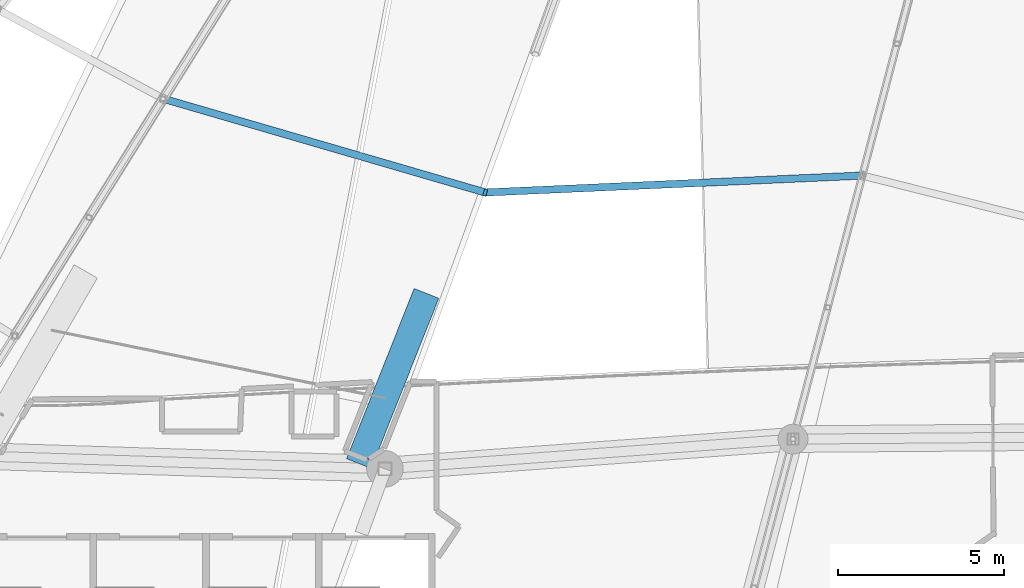
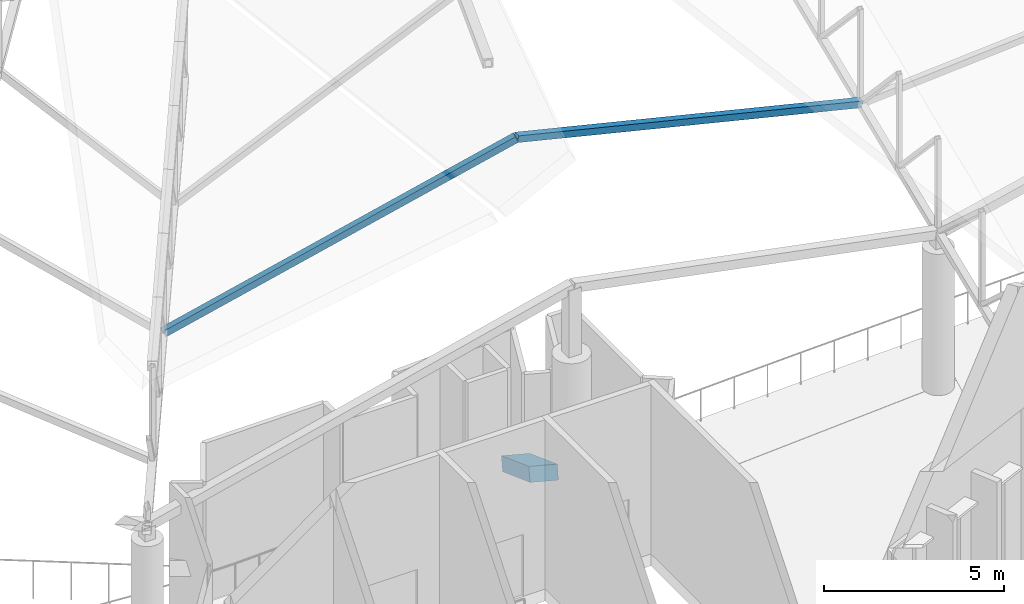
# One storey, part 29 of 344: 2 members, 1 beam.
"""IFC4 building model written with IfcOpenShell, lengths in metres."""

from ifc_helpers import new_model, si_unit, direction, frame, origin, origin_2d, place, context, subcontext, project, spatial, rectangle, hollow_rectangle, extrude, material, material_profile, profile_set, type_object, element, save


model = new_model("IFC4")

# Units and contexts
model_context = context("Model", 3, precision=1e-05, world=origin(), true_north=direction((0.0, 1.0)))
body_context = subcontext(model_context, "Body", "Model", "MODEL_VIEW")
ifc_project = project(units=[si_unit("LENGTHUNIT", "METRE"), si_unit("AREAUNIT", "SQUARE_METRE"), si_unit("VOLUMEUNIT", "CUBIC_METRE"), si_unit("PLANEANGLEUNIT", "RADIAN"), si_unit("MASSUNIT", "GRAM", prefix="KILO")], contexts=[model_context])

# Site, building, storey
site_placement = place(None, origin())
site = spatial("IfcSite", under=ifc_project, at=site_placement, CompositionType="ELEMENT")
building_placement = place(site_placement, origin())
building = spatial("IfcBuilding", under=site, at=building_placement, Name="Meseta Stadium", CompositionType="ELEMENT")
storey_placement = place(building_placement, frame((0.0, 0.0, 24.0)))
storey = spatial("IfcBuildingStorey", under=building, at=storey_placement, Name="L04", CompositionType="ELEMENT", Elevation=24.0)

# Beam
ifc_material_1 = material(Name="Concrete C40/50", Category="concrete")
ifc_material_profile_1 = material_profile(ifc_material_1, rectangle(XDim=0.800048828125, YDim=0.449951171875, at=origin_2d()), Name="RC 800x450")
ifc_profile_set_1 = profile_set([ifc_material_profile_1], Name="Concrete C40/50")
beam_type = type_object("IfcBeamType", Name="RC raker upper rear 800x450", PredefinedType="USERDEFINED", material=ifc_profile_set_1)
beam_placement = place(storey_placement, frame((-31.73681640625, -85.376708984375, -1.297607421875), z_axis=(-0.312988278729, -0.788750872969, 0.529065589288), x_axis=(0.929493983417, -0.368837274136, 0.0)))
element("IfcBeam", 1, at=beam_placement, inside=storey, type_object=beam_type, Name="Raker upper rear frame 44 upper tier", ObjectType="RAKER", PredefinedType="USERDEFINED", context=body_context, shape_type="SweptSolid", body=[
    extrude(rectangle(XDim=0.800048828125, YDim=0.449951171875, at=origin_2d()), origin(), (0.0, 0.0, 1.0), 6.219970703125),
])

# Members
ifc_material_2 = material(Name="Steel S355", Category="steel")
ifc_material_profile_2 = material_profile(ifc_material_2, hollow_rectangle(XDim=0.219970703125, YDim=0.219970703125, WallThickness=0.008056640625, at=origin_2d()), Name="SHS 220x220x8")
ifc_profile_set_2 = profile_set([ifc_material_profile_2], Name="Steel S355")
member_type = type_object("IfcMemberType", Name="SHS 220x220x8 strut", PredefinedType="STRUT", material=ifc_profile_set_2)
member_1_placement = place(storey_placement, frame((-39.62548828125, -79.40087890625, 2.261962890625), z_axis=(0.862705457789, -0.25121632144, 0.43889594774), x_axis=(0.279583446732, 0.960121396654, 0.0)))
element("IfcMember", 2, at=member_1_placement, inside=storey, type_object=member_type, Name="ROOF TRUSS STRUT RT-43/44", PredefinedType="STRUT", context=body_context, shape_type="SweptSolid", body=[
    extrude(hollow_rectangle(XDim=0.219970703125, YDim=0.219970703125, WallThickness=0.008056640625, at=origin_2d()), origin(), (0.0, 0.0, 1.0), 11.2470703125),
])
member_2_placement = place(storey_placement, frame((-29.922607421875, -82.226318359375, 7.1982421875), z_axis=(0.963864744734, 0.043253660878, -0.262857137397), x_axis=(-0.04483012264, 0.998994624662, 0.0)))
element("IfcMember", 3, at=member_2_placement, inside=storey, type_object=member_type, Name="ROOF TRUSS STRUT RT-44/45", PredefinedType="STRUT", context=body_context, shape_type="SweptSolid", body=[
    extrude(hollow_rectangle(XDim=0.219970703125, YDim=0.219970703125, WallThickness=0.008056640625, at=origin_2d()), origin(), (0.0, 0.0, 1.0), 11.785400390625),
])

save(model, "model.ifc")
